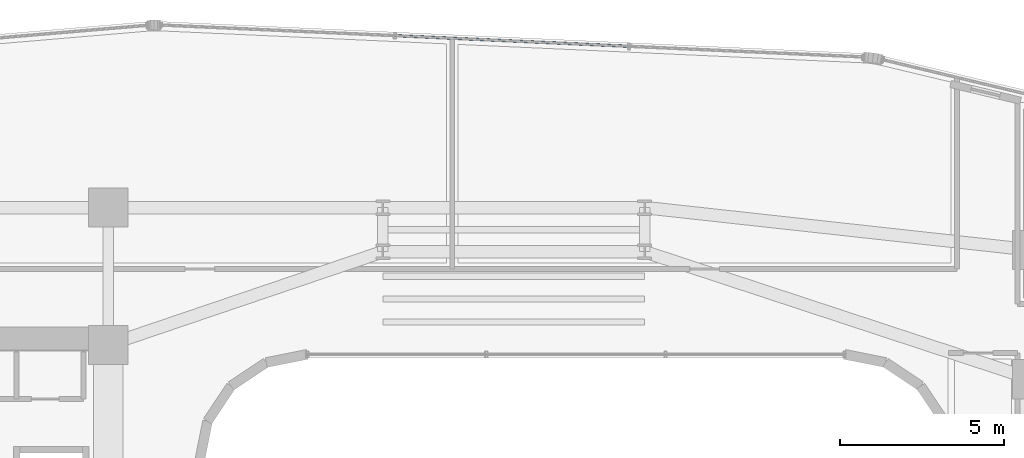
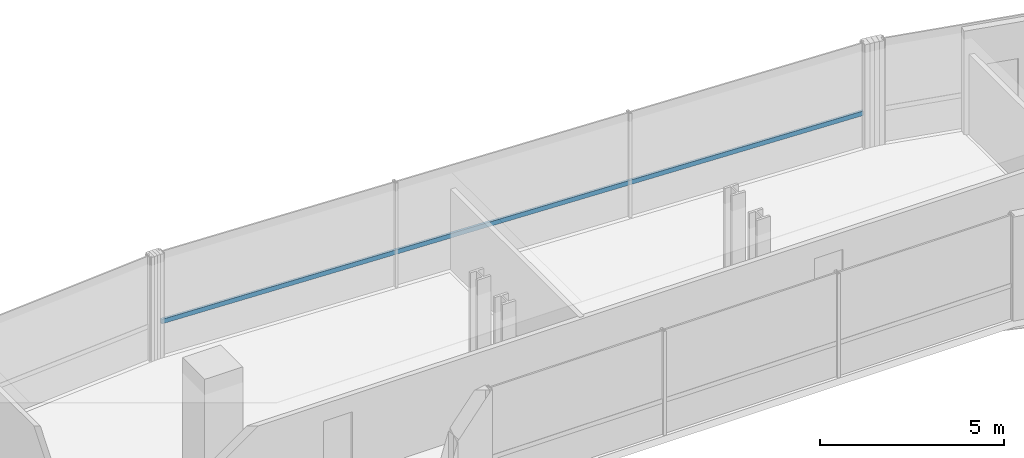
# One storey, part 21 of 34: 1 member, 1 element without a shape of its own.
"""IFC4 building model written with IfcOpenShell, lengths in metres."""

from ifc_helpers import new_model, si_unit, direction, frame, origin, origin_2d, place, context, subcontext, project, spatial, hollow_rectangle, extrude, source, transform, mapped, material, material_profile, profile_set, type_object, element, aggregate, save


model = new_model("IFC4")

# Units and contexts
model_context = context("Model", 3, precision=1e-05, world=origin(), true_north=direction((0.0, 1.0)))
body_context = subcontext(model_context, "Body", "Model", "MODEL_VIEW")
ifc_project = project(units=[si_unit("LENGTHUNIT", "METRE"), si_unit("AREAUNIT", "SQUARE_METRE"), si_unit("VOLUMEUNIT", "CUBIC_METRE"), si_unit("PLANEANGLEUNIT", "RADIAN"), si_unit("MASSUNIT", "GRAM", prefix="KILO")], contexts=[model_context])

# Site, building, storey
site_placement = place(None, origin())
site = spatial("IfcSite", under=ifc_project, at=site_placement, CompositionType="ELEMENT")
building_placement = place(site_placement, origin())
building = spatial("IfcBuilding", under=site, at=building_placement, Name="Valdorenza Pilgrim Sanctuary Tower", CompositionType="ELEMENT")
storey_placement = place(building_placement, frame((0.0, 0.0, 146.39990234375)))
storey = spatial("IfcBuildingStorey", under=building, at=storey_placement, Name="L37", CompositionType="ELEMENT", Elevation=146.39990234375)

# Curtain wall, member
ifc_material_1 = material(Name="Curtain-wall IGU glazing", Category="glass")
curtain_wall_type = type_object("IfcCurtainWallType", Name="CW-SYS-02", PredefinedType="NOTDEFINED", material=ifc_material_1)
curtain_wall_placement = place(storey_placement, origin())
curtain_wall = element("IfcCurtainWall", 1, at=curtain_wall_placement, inside=storey, type_object=curtain_wall_type, Name="L37 Curtain Wall CW-L37-1-11", PredefinedType="NOTDEFINED")
ifc_material_2 = material(Name="Anodised aluminium AW-6060", Category="aluminium")
ifc_material_profile = material_profile(ifc_material_2, hollow_rectangle(XDim=0.074951171875, YDim=0.14990234375, WallThickness=0.00390625, at=origin_2d()), Name="ALU-T 150x75x4")
ifc_profile_set = profile_set([ifc_material_profile], Name="Anodised aluminium AW-6060")
member_type = type_object("IfcMemberType", Name="CW-TRN-02", PredefinedType="USERDEFINED", material=ifc_profile_set)
shared_shape = source(origin(), body_context, "Body", "SweptSolid", [
    extrude(hollow_rectangle(XDim=0.074951171875, YDim=0.14990234375, WallThickness=0.00390625, at=origin_2d()), origin(), (0.0, 0.0, 1.0), 21.5078125),
])
member_placement = place(storey_placement, frame((-10.795654296875, 20.380615234375, 1.1201171875), z_axis=(0.99896865723, -0.045405086403, 0.0), x_axis=(0.045405086403, 0.99896865723, 0.0)))
member = element("IfcMember", 2, at=member_placement, type_object=member_type, Name="CW-L37-1-11 Transom 1", ObjectType="TRANSOM", PredefinedType="USERDEFINED", context=body_context, shape_type="MappedRepresentation", body=[
    mapped(shared_shape, transform((0.0, 0.0, 0.0), x_axis=(1.0, 0.0, 0.0), y_axis=(0.0, 1.0, 0.0), z_axis=(0.0, 0.0, 1.0), scale=1.0)),
])
aggregate(curtain_wall, [member])

save(model, "model.ifc")
